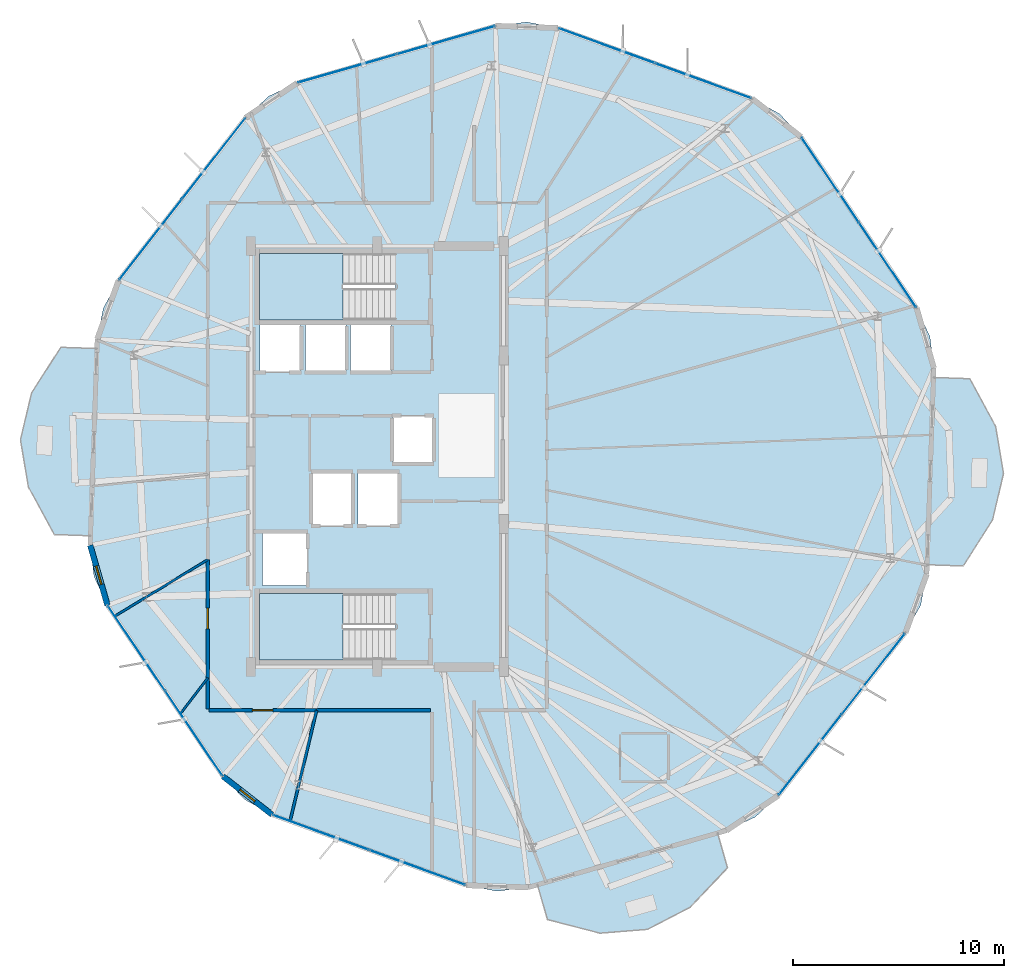
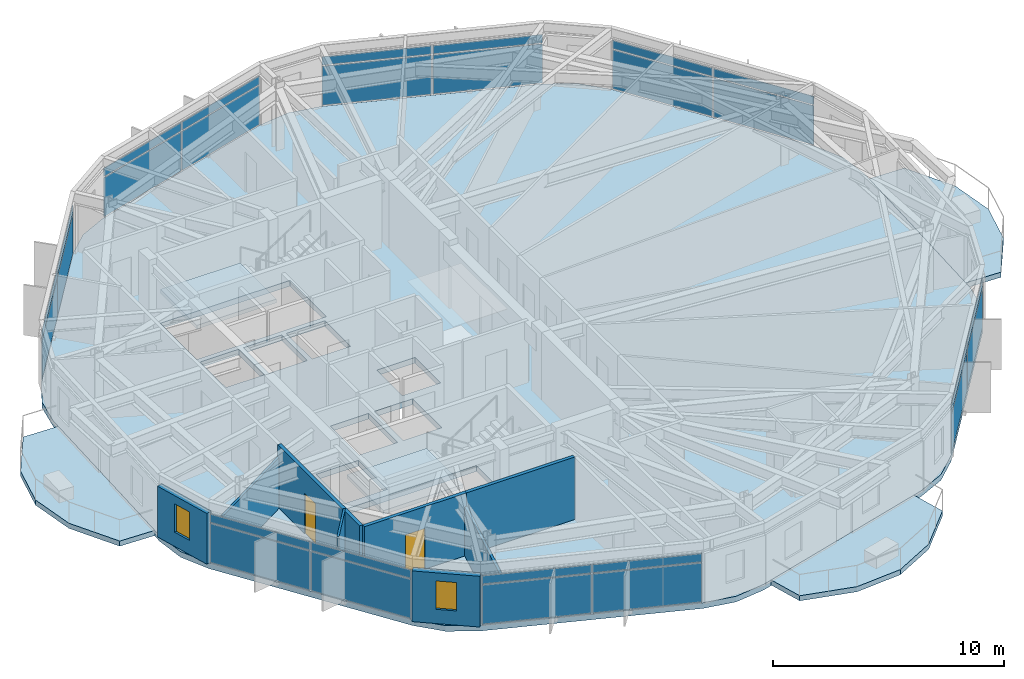
# One storey, part 23 of 30: 28 plates, 9 walls, 6 slabs, 2 doors, 2 windows, 4 openings, 9 elements without a shape of their own.
"""IFC4 building model written with IfcOpenShell, lengths in metres."""

from ifc_helpers import new_model, si_unit, direction, frame, frame_2d, origin, origin_2d, place, context, subcontext, project, spatial, polyline, rectangle, outline, extrude, material, layer, layer_set, type_object, element, fill, aggregate, save


model = new_model("IFC4")

# Units and contexts
model_context = context("Model", 3, precision=1e-05, world=origin(), true_north=direction((0.0, 1.0)))
body_context = subcontext(model_context, "Body", "Model", "MODEL_VIEW")
ifc_project = project(units=[si_unit("LENGTHUNIT", "METRE"), si_unit("AREAUNIT", "SQUARE_METRE"), si_unit("VOLUMEUNIT", "CUBIC_METRE"), si_unit("PLANEANGLEUNIT", "RADIAN"), si_unit("MASSUNIT", "GRAM", prefix="KILO")], contexts=[model_context])

# Site, building, storey
site_placement = place(None, origin())
site = spatial("IfcSite", under=ifc_project, at=site_placement, CompositionType="ELEMENT")
building_placement = place(site_placement, origin())
building = spatial("IfcBuilding", under=site, at=building_placement, Name="Soratama Intermodal Tower", CompositionType="ELEMENT")
storey_placement = place(building_placement, frame((0.0, 0.0, 223.0)))
storey = spatial("IfcBuildingStorey", under=building, at=storey_placement, Name="L56", CompositionType="ELEMENT", Elevation=223.0)

# Curtain wall, plates
ifc_material_1 = material(Name="Double-glazed aluminium curtain wall", Category="aluminium")
ifc_layer_1 = layer(ifc_material_1, 0.159912109375)
ifc_layer_set_1 = layer_set([ifc_layer_1], Name="Double-glazed aluminium curtain wall")
curtain_wall_type = type_object("IfcCurtainWallType", Name="CW-SYS-5", PredefinedType="NOTDEFINED", material=ifc_layer_set_1)
curtain_wall_1_placement = place(storey_placement, origin())
curtain_wall_1 = element("IfcCurtainWall", 1, at=curtain_wall_1_placement, inside=storey, type_object=curtain_wall_type, Name="L56 Faceted Curtain Wall F01", PredefinedType="NOTDEFINED")
ifc_material_2 = material(Name="Low-E laminated double glazing", Category="glass")
ifc_layer_2 = layer(ifc_material_2, 0.02001953125)
ifc_layer_set_2 = layer_set([ifc_layer_2], Name="Low-E laminated double glazing")
plate_type = type_object("IfcPlateType", Name="PT-CWP-5", PredefinedType="CURTAIN_PANEL", material=ifc_layer_set_2)
plate_1_placement = place(storey_placement, frame((54.079833984375, 42.848876953125, 0.06005859375), z_axis=(0.0, 0.0, 1.0), x_axis=(-0.939810706406, 0.34169553132, 0.0)))
plate_1 = element("IfcPlate", 2, at=plate_1_placement, type_object=plate_type, Name="CW-5 panel 1.1", PredefinedType="CURTAIN_PANEL", context=body_context, shape_type="SweptSolid", body=[
    extrude(rectangle(XDim=4.808837890625, YDim=0.028076171875, at=origin_2d()), origin(), (0.0, 0.0, 1.0), 2.06005859375),
])
plate_2_placement = place(storey_placement, frame((54.079833984375, 42.848876953125, 2.179931640625), z_axis=(0.0, 0.0, 1.0), x_axis=(-0.939810706406, 0.34169553132, 0.0)))
plate_2 = element("IfcPlate", 3, at=plate_2_placement, type_object=plate_type, Name="CW-5 panel 1.2", PredefinedType="CURTAIN_PANEL", context=body_context, shape_type="SweptSolid", body=[
    extrude(rectangle(XDim=4.808837890625, YDim=0.028076171875, at=origin_2d()), origin(), (0.0, 0.0, 1.0), 0.43896484375),
])
plate_3_placement = place(storey_placement, frame((49.50390625, 44.512451171875, 0.06005859375), z_axis=(0.0, 0.0, 1.0), x_axis=(-0.939810706406, 0.34169553132, 0.0)))
plate_3 = element("IfcPlate", 4, at=plate_3_placement, type_object=plate_type, Name="CW-5 panel 2.1", PredefinedType="CURTAIN_PANEL", context=body_context, shape_type="SweptSolid", body=[
    extrude(rectangle(XDim=4.808837890625, YDim=0.028076171875, at=origin_2d()), origin(), (0.0, 0.0, 1.0), 2.06005859375),
])
plate_4_placement = place(storey_placement, frame((49.50390625, 44.512451171875, 2.179931640625), z_axis=(0.0, 0.0, 1.0), x_axis=(-0.939810706406, 0.34169553132, 0.0)))
plate_4 = element("IfcPlate", 5, at=plate_4_placement, type_object=plate_type, Name="CW-5 panel 2.2", PredefinedType="CURTAIN_PANEL", context=body_context, shape_type="SweptSolid", body=[
    extrude(rectangle(XDim=4.808837890625, YDim=0.028076171875, at=origin_2d()), origin(), (0.0, 0.0, 1.0), 0.43896484375),
])
aggregate(curtain_wall_1, [plate_1, plate_2, plate_3, plate_4])

curtain_wall_2_placement = place(storey_placement, origin())
curtain_wall_2 = element("IfcCurtainWall", 6, at=curtain_wall_2_placement, inside=storey, type_object=curtain_wall_type, Name="L56 Faceted Curtain Wall F02", PredefinedType="NOTDEFINED")
plate_5_placement = place(storey_placement, frame((41.8544921875, 44.777099609375, 0.06005859375), z_axis=(0.0, 0.0, 1.0), x_axis=(-0.96116532733, -0.275973211633, 0.0)))
plate_5 = element("IfcPlate", 7, at=plate_5_placement, type_object=plate_type, Name="CW-5 panel 1.1", PredefinedType="CURTAIN_PANEL", context=body_context, shape_type="SweptSolid", body=[
    extrude(rectangle(XDim=4.808837890625, YDim=0.028076171875, at=origin_2d()), origin(), (0.0, 0.0, 1.0), 2.06005859375),
])
plate_6_placement = place(storey_placement, frame((41.8544921875, 44.777099609375, 2.179931640625), z_axis=(0.0, 0.0, 1.0), x_axis=(-0.96116532733, -0.275973211633, 0.0)))
plate_6 = element("IfcPlate", 8, at=plate_6_placement, type_object=plate_type, Name="CW-5 panel 1.2", PredefinedType="CURTAIN_PANEL", context=body_context, shape_type="SweptSolid", body=[
    extrude(rectangle(XDim=4.808837890625, YDim=0.028076171875, at=origin_2d()), origin(), (0.0, 0.0, 1.0), 0.43896484375),
])
plate_7_placement = place(storey_placement, frame((37.174560546875, 43.433349609375, 0.06005859375), z_axis=(0.0, 0.0, 1.0), x_axis=(-0.96116532733, -0.275973211633, 0.0)))
plate_7 = element("IfcPlate", 9, at=plate_7_placement, type_object=plate_type, Name="CW-5 panel 2.1", PredefinedType="CURTAIN_PANEL", context=body_context, shape_type="SweptSolid", body=[
    extrude(rectangle(XDim=4.808837890625, YDim=0.028076171875, at=origin_2d()), origin(), (0.0, 0.0, 1.0), 2.06005859375),
])
plate_8_placement = place(storey_placement, frame((37.174560546875, 43.433349609375, 2.179931640625), z_axis=(0.0, 0.0, 1.0), x_axis=(-0.96116532733, -0.275973211633, 0.0)))
plate_8 = element("IfcPlate", 10, at=plate_8_placement, type_object=plate_type, Name="CW-5 panel 2.2", PredefinedType="CURTAIN_PANEL", context=body_context, shape_type="SweptSolid", body=[
    extrude(rectangle(XDim=4.808837890625, YDim=0.028076171875, at=origin_2d()), origin(), (0.0, 0.0, 1.0), 0.43896484375),
])
aggregate(curtain_wall_2, [plate_5, plate_6, plate_7, plate_8])

curtain_wall_3_placement = place(storey_placement, origin())
curtain_wall_3 = element("IfcCurtainWall", 11, at=curtain_wall_3_placement, inside=storey, type_object=curtain_wall_type, Name="L56 Faceted Curtain Wall F03", PredefinedType="NOTDEFINED")
plate_9_placement = place(storey_placement, frame((30.83056640625, 39.15087890625, 0.06005859375), z_axis=(0.0, 0.0, 1.0), x_axis=(-0.615388111542, -0.788224252464, 0.0)))
plate_9 = element("IfcPlate", 12, at=plate_9_placement, type_object=plate_type, Name="CW-5 panel 1.1", PredefinedType="CURTAIN_PANEL", context=body_context, shape_type="SweptSolid", body=[
    extrude(rectangle(XDim=4.808837890625, YDim=0.028076171875, at=origin_2d()), origin(), (0.0, 0.0, 1.0), 2.06005859375),
])
plate_10_placement = place(storey_placement, frame((30.83056640625, 39.15087890625, 2.179931640625), z_axis=(0.0, 0.0, 1.0), x_axis=(-0.615388111542, -0.788224252464, 0.0)))
plate_10 = element("IfcPlate", 13, at=plate_10_placement, type_object=plate_type, Name="CW-5 panel 1.2", PredefinedType="CURTAIN_PANEL", context=body_context, shape_type="SweptSolid", body=[
    extrude(rectangle(XDim=4.808837890625, YDim=0.028076171875, at=origin_2d()), origin(), (0.0, 0.0, 1.0), 0.43896484375),
])
plate_11_placement = place(storey_placement, frame((27.834228515625, 35.313232421875, 0.06005859375), z_axis=(0.0, 0.0, 1.0), x_axis=(-0.615388111542, -0.788224252464, 0.0)))
plate_11 = element("IfcPlate", 14, at=plate_11_placement, type_object=plate_type, Name="CW-5 panel 2.1", PredefinedType="CURTAIN_PANEL", context=body_context, shape_type="SweptSolid", body=[
    extrude(rectangle(XDim=4.808837890625, YDim=0.028076171875, at=origin_2d()), origin(), (0.0, 0.0, 1.0), 2.06005859375),
])
plate_12_placement = place(storey_placement, frame((27.834228515625, 35.313232421875, 2.179931640625), z_axis=(0.0, 0.0, 1.0), x_axis=(-0.615388111542, -0.788224252464, 0.0)))
plate_12 = element("IfcPlate", 15, at=plate_12_placement, type_object=plate_type, Name="CW-5 panel 2.2", PredefinedType="CURTAIN_PANEL", context=body_context, shape_type="SweptSolid", body=[
    extrude(rectangle(XDim=4.808837890625, YDim=0.028076171875, at=origin_2d()), origin(), (0.0, 0.0, 1.0), 0.43896484375),
])
aggregate(curtain_wall_3, [plate_9, plate_10, plate_11, plate_12])

curtain_wall_4_placement = place(storey_placement, origin())
curtain_wall_4 = element("IfcCurtainWall", 16, at=curtain_wall_4_placement, inside=storey, type_object=curtain_wall_type, Name="L56 Faceted Curtain Wall F05", PredefinedType="NOTDEFINED")
plate_13_placement = place(storey_placement, frame((27.1630859375, 15.89697265625, 0.06005859375), z_axis=(0.0, 0.0, 1.0), x_axis=(0.559481795001, -0.828842639505, 0.0)))
plate_13 = element("IfcPlate", 17, at=plate_13_placement, type_object=plate_type, Name="CW-5 panel 1.1", PredefinedType="CURTAIN_PANEL", context=body_context, shape_type="SweptSolid", body=[
    extrude(rectangle(XDim=4.808837890625, YDim=0.028076171875, at=origin_2d()), origin(), (0.0, 0.0, 1.0), 2.06005859375),
])
plate_14_placement = place(storey_placement, frame((27.1630859375, 15.89697265625, 2.179931640625), z_axis=(0.0, 0.0, 1.0), x_axis=(0.559481795001, -0.828842639505, 0.0)))
plate_14 = element("IfcPlate", 18, at=plate_14_placement, type_object=plate_type, Name="CW-5 panel 1.2", PredefinedType="CURTAIN_PANEL", context=body_context, shape_type="SweptSolid", body=[
    extrude(rectangle(XDim=4.808837890625, YDim=0.028076171875, at=origin_2d()), origin(), (0.0, 0.0, 1.0), 0.43896484375),
])
plate_15_placement = place(storey_placement, frame((29.886962890625, 11.861328125, 0.06005859375), z_axis=(0.0, 0.0, 1.0), x_axis=(0.559481795001, -0.828842639505, 0.0)))
plate_15 = element("IfcPlate", 19, at=plate_15_placement, type_object=plate_type, Name="CW-5 panel 2.1", PredefinedType="CURTAIN_PANEL", context=body_context, shape_type="SweptSolid", body=[
    extrude(rectangle(XDim=4.808837890625, YDim=0.028076171875, at=origin_2d()), origin(), (0.0, 0.0, 1.0), 2.06005859375),
])
plate_16_placement = place(storey_placement, frame((29.886962890625, 11.861328125, 2.179931640625), z_axis=(0.0, 0.0, 1.0), x_axis=(0.559481795001, -0.828842639505, 0.0)))
plate_16 = element("IfcPlate", 20, at=plate_16_placement, type_object=plate_type, Name="CW-5 panel 2.2", PredefinedType="CURTAIN_PANEL", context=body_context, shape_type="SweptSolid", body=[
    extrude(rectangle(XDim=4.808837890625, YDim=0.028076171875, at=origin_2d()), origin(), (0.0, 0.0, 1.0), 0.43896484375),
])
aggregate(curtain_wall_4, [plate_13, plate_14, plate_15, plate_16])

curtain_wall_5_placement = place(storey_placement, origin())
curtain_wall_5 = element("IfcCurtainWall", 21, at=curtain_wall_5_placement, inside=storey, type_object=curtain_wall_type, Name="L56 Faceted Curtain Wall F06", PredefinedType="NOTDEFINED")
plate_17_placement = place(storey_placement, frame((35.920166015625, 7.151123046875, 0.06005859375), z_axis=(0.0, 0.0, 1.0), x_axis=(0.939810706406, -0.34169553132, 0.0)))
plate_17 = element("IfcPlate", 22, at=plate_17_placement, type_object=plate_type, Name="CW-5 panel 1.1", PredefinedType="CURTAIN_PANEL", context=body_context, shape_type="SweptSolid", body=[
    extrude(rectangle(XDim=4.808837890625, YDim=0.028076171875, at=origin_2d()), origin(), (0.0, 0.0, 1.0), 2.06005859375),
])
plate_18_placement = place(storey_placement, frame((35.920166015625, 7.151123046875, 2.179931640625), z_axis=(0.0, 0.0, 1.0), x_axis=(0.939810706406, -0.34169553132, 0.0)))
plate_18 = element("IfcPlate", 23, at=plate_18_placement, type_object=plate_type, Name="CW-5 panel 1.2", PredefinedType="CURTAIN_PANEL", context=body_context, shape_type="SweptSolid", body=[
    extrude(rectangle(XDim=4.808837890625, YDim=0.028076171875, at=origin_2d()), origin(), (0.0, 0.0, 1.0), 0.43896484375),
])
plate_19_placement = place(storey_placement, frame((40.49609375, 5.487548828125, 0.06005859375), z_axis=(0.0, 0.0, 1.0), x_axis=(0.939810706406, -0.34169553132, 0.0)))
plate_19 = element("IfcPlate", 24, at=plate_19_placement, type_object=plate_type, Name="CW-5 panel 2.1", PredefinedType="CURTAIN_PANEL", context=body_context, shape_type="SweptSolid", body=[
    extrude(rectangle(XDim=4.808837890625, YDim=0.028076171875, at=origin_2d()), origin(), (0.0, 0.0, 1.0), 2.06005859375),
])
plate_20_placement = place(storey_placement, frame((40.49609375, 5.487548828125, 2.179931640625), z_axis=(0.0, 0.0, 1.0), x_axis=(0.939810706406, -0.34169553132, 0.0)))
plate_20 = element("IfcPlate", 25, at=plate_20_placement, type_object=plate_type, Name="CW-5 panel 2.2", PredefinedType="CURTAIN_PANEL", context=body_context, shape_type="SweptSolid", body=[
    extrude(rectangle(XDim=4.808837890625, YDim=0.028076171875, at=origin_2d()), origin(), (0.0, 0.0, 1.0), 0.43896484375),
])
aggregate(curtain_wall_5, [plate_17, plate_18, plate_19, plate_20])

curtain_wall_6_placement = place(storey_placement, origin())
curtain_wall_6 = element("IfcCurtainWall", 26, at=curtain_wall_6_placement, inside=storey, type_object=curtain_wall_type, Name="L56 Faceted Curtain Wall F08", PredefinedType="NOTDEFINED")
plate_21_placement = place(storey_placement, frame((59.16943359375, 10.84912109375, 0.06005859375), z_axis=(0.0, 0.0, 1.0), x_axis=(0.615388111542, 0.788224252464, 0.0)))
plate_21 = element("IfcPlate", 27, at=plate_21_placement, type_object=plate_type, Name="CW-5 panel 1.1", PredefinedType="CURTAIN_PANEL", context=body_context, shape_type="SweptSolid", body=[
    extrude(rectangle(XDim=4.808837890625, YDim=0.028076171875, at=origin_2d()), origin(), (0.0, 0.0, 1.0), 2.06005859375),
])
plate_22_placement = place(storey_placement, frame((59.16943359375, 10.84912109375, 2.179931640625), z_axis=(0.0, 0.0, 1.0), x_axis=(0.615388111542, 0.788224252464, 0.0)))
plate_22 = element("IfcPlate", 28, at=plate_22_placement, type_object=plate_type, Name="CW-5 panel 1.2", PredefinedType="CURTAIN_PANEL", context=body_context, shape_type="SweptSolid", body=[
    extrude(rectangle(XDim=4.808837890625, YDim=0.028076171875, at=origin_2d()), origin(), (0.0, 0.0, 1.0), 0.43896484375),
])
plate_23_placement = place(storey_placement, frame((62.165771484375, 14.686767578125, 0.06005859375), z_axis=(0.0, 0.0, 1.0), x_axis=(0.615388111542, 0.788224252464, 0.0)))
plate_23 = element("IfcPlate", 29, at=plate_23_placement, type_object=plate_type, Name="CW-5 panel 2.1", PredefinedType="CURTAIN_PANEL", context=body_context, shape_type="SweptSolid", body=[
    extrude(rectangle(XDim=4.808837890625, YDim=0.028076171875, at=origin_2d()), origin(), (0.0, 0.0, 1.0), 2.06005859375),
])
plate_24_placement = place(storey_placement, frame((62.165771484375, 14.686767578125, 2.179931640625), z_axis=(0.0, 0.0, 1.0), x_axis=(0.615388111542, 0.788224252464, 0.0)))
plate_24 = element("IfcPlate", 30, at=plate_24_placement, type_object=plate_type, Name="CW-5 panel 2.2", PredefinedType="CURTAIN_PANEL", context=body_context, shape_type="SweptSolid", body=[
    extrude(rectangle(XDim=4.808837890625, YDim=0.028076171875, at=origin_2d()), origin(), (0.0, 0.0, 1.0), 0.43896484375),
])
aggregate(curtain_wall_6, [plate_21, plate_22, plate_23, plate_24])

curtain_wall_7_placement = place(storey_placement, origin())
curtain_wall_7 = element("IfcCurtainWall", 31, at=curtain_wall_7_placement, inside=storey, type_object=curtain_wall_type, Name="L56 Faceted Curtain Wall F10", PredefinedType="NOTDEFINED")
plate_25_placement = place(storey_placement, frame((62.8369140625, 34.10302734375, 0.06005859375), z_axis=(0.0, 0.0, 1.0), x_axis=(-0.559481795001, 0.828842639505, 0.0)))
plate_25 = element("IfcPlate", 32, at=plate_25_placement, type_object=plate_type, Name="CW-5 panel 1.1", PredefinedType="CURTAIN_PANEL", context=body_context, shape_type="SweptSolid", body=[
    extrude(rectangle(XDim=4.808837890625, YDim=0.028076171875, at=origin_2d()), origin(), (0.0, 0.0, 1.0), 2.06005859375),
])
plate_26_placement = place(storey_placement, frame((62.8369140625, 34.10302734375, 2.179931640625), z_axis=(0.0, 0.0, 1.0), x_axis=(-0.559481795001, 0.828842639505, 0.0)))
plate_26 = element("IfcPlate", 33, at=plate_26_placement, type_object=plate_type, Name="CW-5 panel 1.2", PredefinedType="CURTAIN_PANEL", context=body_context, shape_type="SweptSolid", body=[
    extrude(rectangle(XDim=4.808837890625, YDim=0.028076171875, at=origin_2d()), origin(), (0.0, 0.0, 1.0), 0.43896484375),
])
plate_27_placement = place(storey_placement, frame((60.113037109375, 38.138671875, 0.06005859375), z_axis=(0.0, 0.0, 1.0), x_axis=(-0.559481795001, 0.828842639505, 0.0)))
plate_27 = element("IfcPlate", 34, at=plate_27_placement, type_object=plate_type, Name="CW-5 panel 2.1", PredefinedType="CURTAIN_PANEL", context=body_context, shape_type="SweptSolid", body=[
    extrude(rectangle(XDim=4.808837890625, YDim=0.028076171875, at=origin_2d()), origin(), (0.0, 0.0, 1.0), 2.06005859375),
])
plate_28_placement = place(storey_placement, frame((60.113037109375, 38.138671875, 2.179931640625), z_axis=(0.0, 0.0, 1.0), x_axis=(-0.559481795001, 0.828842639505, 0.0)))
plate_28 = element("IfcPlate", 35, at=plate_28_placement, type_object=plate_type, Name="CW-5 panel 2.2", PredefinedType="CURTAIN_PANEL", context=body_context, shape_type="SweptSolid", body=[
    extrude(rectangle(XDim=4.808837890625, YDim=0.028076171875, at=origin_2d()), origin(), (0.0, 0.0, 1.0), 0.43896484375),
])
aggregate(curtain_wall_7, [plate_25, plate_26, plate_27, plate_28])

# Slabs
ifc_material_3 = material(Name="Concrete f'c 42 MPa", Category="concrete")
ifc_layer_3 = layer(ifc_material_3, 0.27001953125)
ifc_layer_set_3 = layer_set([ifc_layer_3], Name="Concrete f'c 42 MPa")
slab_type_1 = type_object("IfcSlabType", Name="SL-EXT-BAL1", PredefinedType="FLOOR", material=ifc_layer_set_3)
slab_1_placement = place(storey_placement, frame((0.0, 0.0, -0.27001953125)))
element("IfcSlab", 36, at=slab_1_placement, inside=storey, type_object=slab_type_1, Name="L56 Planted Balcony East 1", PredefinedType="FLOOR", context=body_context, shape_type="SweptSolid", body=[
    extrude(outline(polyline([(64.71142578125, 19.866943359375), (65.01904296875, 28.759521484375), (66.73779296875, 28.699951171875), (67.97119140625, 26.431640625), (68.34326171875, 24.193115234375), (67.8173828125, 21.9853515625), (66.430419921875, 19.8076171875), (64.71142578125, 19.866943359375)])), origin(), (0.0, 0.0, 1.0), 0.27001953125),
])
slab_2_placement = place(storey_placement, frame((0.0, 0.0, -0.27001953125)))
element("IfcSlab", 37, at=slab_2_placement, inside=storey, type_object=slab_type_1, Name="L56 Planted Balcony West 2", PredefinedType="FLOOR", context=body_context, shape_type="SweptSolid", body=[
    extrude(outline(polyline([(25.28857421875, 30.133056640625), (24.98095703125, 21.240478515625), (23.26220703125, 21.300048828125), (22.02880859375, 23.568359375), (21.65673828125, 25.806884765625), (22.1826171875, 28.0146484375), (23.569580078125, 30.1923828125), (25.28857421875, 30.133056640625)])), origin(), (0.0, 0.0, 1.0), 0.27001953125),
])
slab_3_placement = place(storey_placement, frame((0.0, 0.0, -0.27001953125)))
element("IfcSlab", 38, at=slab_3_placement, inside=storey, type_object=slab_type_1, Name="L56 Planted Balcony South 3", PredefinedType="FLOOR", context=body_context, shape_type="SweptSolid", body=[
    extrude(outline(polyline([(46.20947265625, 4.6669921875), (54.76171875, 7.12255859375), (55.236083984375, 5.469482421875), (53.4599609375, 3.595458984375), (51.44580078125, 2.550048828125), (49.183837890625, 2.367919921875), (46.68408203125, 3.013916015625), (46.20947265625, 4.6669921875)])), origin(), (0.0, 0.0, 1.0), 0.27001953125),
])

# Stair, slab
ifc_material_4 = material(Name="Concrete f'c 42 MPa", Category="concrete")
stair_type = type_object("IfcStairType", Name="ST-CORE-DOGLEG", PredefinedType="HALF_TURN_STAIR", material=ifc_material_4)
stair_1_placement = place(storey_placement, origin())
stair_1 = element("IfcStair", 39, at=stair_1_placement, inside=storey, type_object=stair_type, Name="L56 ST-1", PredefinedType="HALF_TURN_STAIR")
ifc_material_5 = material(Name="Concrete f'c 42 MPa", Category="concrete")
ifc_layer_4 = layer(ifc_material_5, 0.219970703125)
ifc_layer_set_4 = layer_set([ifc_layer_4], Name="Concrete f'c 42 MPa")
slab_type_2 = type_object("IfcSlabType", Name="SL-STAIR-LAND", PredefinedType="LANDING", material=ifc_layer_set_4)
slab_4_placement = place(storey_placement, frame((0.0, 0.0, 1.60009765625)))
slab_4 = element("IfcSlab", 40, at=slab_4_placement, type_object=slab_type_2, Name="ST-1 landing 1", PredefinedType="LANDING", context=body_context, shape_type="SweptSolid", body=[
    extrude(outline(polyline([(36.97998046875, 18.5), (33.0, 18.5), (33.0, 15.35009765625), (36.97998046875, 15.35009765625), (36.97998046875, 18.5)])), origin(), (0.0, 0.0, 1.0), 0.199951171875),
])
aggregate(stair_1, [slab_4])

stair_2_placement = place(storey_placement, origin())
stair_2 = element("IfcStair", 41, at=stair_2_placement, inside=storey, type_object=stair_type, Name="L56 ST-2", PredefinedType="HALF_TURN_STAIR")
slab_5_placement = place(storey_placement, frame((0.0, 0.0, 1.60009765625)))
slab_5 = element("IfcSlab", 42, at=slab_5_placement, type_object=slab_type_2, Name="ST-2 landing 1", PredefinedType="LANDING", context=body_context, shape_type="SweptSolid", body=[
    extrude(outline(polyline([(36.97998046875, 34.64990234375), (33.0, 34.64990234375), (33.0, 31.5), (36.97998046875, 31.5), (36.97998046875, 34.64990234375)])), origin(), (0.0, 0.0, 1.0), 0.199951171875),
])
aggregate(stair_2, [slab_5])

# Slab
ifc_material_6 = material(Name="Concrete f'c 42 MPa", Category="concrete")
ifc_layer_5 = layer(ifc_material_6, 0.280029296875)
ifc_layer_set_5 = layer_set([ifc_layer_5], Name="Concrete f'c 42 MPa")
slab_type_3 = type_object("IfcSlabType", Name="SL-TWR-280", PredefinedType="FLOOR", material=ifc_layer_set_5)
slab_6_placement = place(storey_placement, frame((0.0, 0.0, -0.300048828125)))
element("IfcSlab", 43, at=slab_6_placement, inside=storey, type_object=slab_type_3, Name="L56 Structural Floor Slab", PredefinedType="FLOOR", context=body_context, shape_type="SweptSolid", body=[
    extrude(outline(polyline([(58.734130859375, 40.18115234375), (57.709716796875, 41.279296875), (56.395751953125, 42.0068359375), (47.18798828125, 45.3544921875), (45.713623046875, 45.640625), (44.22314453125, 45.45703125), (34.805908203125, 42.753173828125), (33.445068359375, 42.1181640625), (32.34716796875, 41.093505859375), (26.317626953125, 33.37060546875), (25.590087890625, 32.056884765625), (25.303955078125, 30.582763671875), (24.965576171875, 20.791015625), (25.149169921875, 19.30029296875), (25.7841796875, 17.939453125), (31.265869140625, 9.81884765625), (32.290283203125, 8.720703125), (33.604248046875, 7.9931640625), (42.81201171875, 4.6455078125), (44.286376953125, 4.359375), (45.77685546875, 4.54296875), (55.194091796875, 7.246826171875), (56.554931640625, 7.8818359375), (57.65283203125, 8.906494140625), (63.682373046875, 16.62939453125), (64.409912109375, 17.943115234375), (64.696044921875, 19.417236328125), (65.034423828125, 29.208984375), (64.850830078125, 30.69970703125), (64.2158203125, 32.060546875), (58.734130859375, 40.18115234375)]), holes=[polyline([(33.0, 18.5), (33.0, 15.35009765625), (39.47509765625, 15.35009765625), (39.47509765625, 18.5), (33.0, 18.5)]), polyline([(35.260009765625, 21.409912109375), (33.139892578125, 21.409912109375), (33.139892578125, 18.889892578125), (35.260009765625, 18.889892578125), (35.260009765625, 21.409912109375)]), polyline([(37.409912109375, 24.260009765625), (35.489990234375, 24.260009765625), (35.489990234375, 21.739990234375), (37.409912109375, 21.739990234375), (37.409912109375, 24.260009765625)]), polyline([(39.610107421875, 24.260009765625), (37.68994140625, 24.260009765625), (37.68994140625, 21.739990234375), (39.610107421875, 21.739990234375), (39.610107421875, 24.260009765625)]), polyline([(41.260009765625, 26.909912109375), (39.340087890625, 26.909912109375), (39.340087890625, 24.68994140625), (41.260009765625, 24.68994140625), (41.260009765625, 26.909912109375)]), polyline([(34.9599609375, 31.260009765625), (33.0400390625, 31.260009765625), (33.0400390625, 29.0400390625), (34.9599609375, 29.0400390625), (34.9599609375, 31.260009765625)]), polyline([(37.110107421875, 31.260009765625), (35.18994140625, 31.260009765625), (35.18994140625, 29.0400390625), (37.110107421875, 29.0400390625), (37.110107421875, 31.260009765625)]), polyline([(39.260009765625, 29.0400390625), (39.260009765625, 31.260009765625), (37.340087890625, 31.260009765625), (37.340087890625, 29.0400390625), (39.260009765625, 29.0400390625)]), polyline([(39.47509765625, 34.64990234375), (33.0, 34.64990234375), (33.0, 31.5), (39.47509765625, 31.5), (39.47509765625, 34.64990234375)])]), origin(), (0.0, 0.0, 1.0), 0.300048828125),
])

# Wall, opening, window
ifc_material_7 = material(Name="Concrete f'c 42 MPa", Category="concrete")
ifc_layer_6 = layer(ifc_material_7, 0.27001953125)
ifc_layer_set_6 = layer_set([ifc_layer_6], Name="Concrete f'c 42 MPa")
wall_type_1 = type_object("IfcWallType", Name="EW-CRN-270", PredefinedType="SOLIDWALL", material=ifc_layer_set_6)
wall_1_placement = place(storey_placement, frame((24.965576171875, 20.791015625, 0.0), z_axis=(0.0, 0.0, 1.0), x_axis=(0.275927353379, -0.961178493131, 0.0)))
wall_1 = element("IfcWall", 44, at=wall_1_placement, inside=storey, type_object=wall_type_1, Name="L56 Corner Closure Wall 04", PredefinedType="SOLIDWALL", context=body_context, shape_type="SweptSolid", body=[
    extrude(rectangle(XDim=2.966796875, YDim=0.27001953125, at=frame_2d((1.4833984375, 0.0))), origin(), (0.0, 0.0, 1.0), 2.678955078125),
])
opening_1_placement = place(wall_1_placement, frame((1.033203125, 0.0, 0.75)))
opening_1 = element("IfcOpeningElement", 45, at=opening_1_placement, cuts=wall_1, Name="Opening WN-6", PredefinedType="OPENING", context=body_context, shape_type="SweptSolid", body=[
    extrude(rectangle(XDim=0.89990234375, YDim=1.5, at=frame_2d((0.449951171875, 0.75))), frame((0.0, 0.14501953125, 0.0), z_axis=(0.0, -1.0, 0.0), x_axis=(1.0, 0.0, 0.0)), (0.0, 0.0, 1.0), 0.2900390625),
])
ifc_material_8 = material(Name="Double-glazed aluminium window", Category="aluminium")
window_type = type_object("IfcWindowType", Name="WN-FAC-900", PartitioningType="SINGLE_PANEL", PredefinedType="WINDOW", material=ifc_material_8)
window_1_placement = place(opening_1_placement, origin())
window_1 = element("IfcWindow", 46, at=window_1_placement, inside=storey, type_object=window_type, Name="L56 Corner Window 04", OverallHeight=1.5, OverallWidth=0.89990234375, PartitioningType="SINGLE_PANEL", PredefinedType="WINDOW", context=body_context, shape_type="SweptSolid", body=[
    extrude(rectangle(XDim=0.89990234375, YDim=1.5, at=frame_2d((0.449951171875, 0.75))), frame((0.0, 0.030029296875, 0.0), z_axis=(0.0, -1.0, 0.0), x_axis=(1.0, 0.0, 0.0)), (0.0, 0.0, 1.0), 0.06005859375),
])
fill(opening_1, window_1)

wall_2_placement = place(storey_placement, frame((31.265869140625, 9.81884765625, 0.0), z_axis=(0.0, 0.0, 1.0), x_axis=(0.788216472233, -0.615398076776, 0.0)))
wall_2 = element("IfcWall", 47, at=wall_2_placement, inside=storey, type_object=wall_type_1, Name="L56 Corner Closure Wall 05", PredefinedType="SOLIDWALL", context=body_context, shape_type="SweptSolid", body=[
    extrude(rectangle(XDim=2.966552734375, YDim=0.27001953125, at=frame_2d((1.4833984375, 0.0))), origin(), (0.0, 0.0, 1.0), 2.678955078125),
])
opening_2_placement = place(wall_2_placement, frame((1.033203125, 0.0, 0.75)))
opening_2 = element("IfcOpeningElement", 48, at=opening_2_placement, cuts=wall_2, Name="Opening WN-6", PredefinedType="OPENING", context=body_context, shape_type="SweptSolid", body=[
    extrude(rectangle(XDim=0.89990234375, YDim=1.5, at=frame_2d((0.449951171875, 0.75))), frame((0.0, 0.14501953125, 0.0), z_axis=(0.0, -1.0, 0.0), x_axis=(1.0, 0.0, 0.0)), (0.0, 0.0, 1.0), 0.2900390625),
])
window_2_placement = place(opening_2_placement, origin())
window_2 = element("IfcWindow", 49, at=window_2_placement, inside=storey, type_object=window_type, Name="L56 Corner Window 05", OverallHeight=1.5, OverallWidth=0.89990234375, PartitioningType="SINGLE_PANEL", PredefinedType="WINDOW", context=body_context, shape_type="SweptSolid", body=[
    extrude(rectangle(XDim=0.89990234375, YDim=1.5, at=frame_2d((0.449951171875, 0.75))), frame((0.0, 0.030029296875, 0.0), z_axis=(0.0, -1.0, 0.0), x_axis=(1.0, 0.0, 0.0)), (0.0, 0.0, 1.0), 0.06005859375),
])
fill(opening_2, window_2)

# Wall, opening, door
ifc_material_9 = material(Name="Fire-rated gypsum stud partition", Category="concrete")
ifc_layer_7 = layer(ifc_material_9, 0.169921875)
ifc_layer_set_7 = layer_set([ifc_layer_7], Name="Fire-rated gypsum stud partition")
wall_type_2 = type_object("IfcWallType", Name="IW-PART-R170", PredefinedType="PARTITIONING", material=ifc_layer_set_7)
wall_3_placement = place(storey_placement, frame((30.550048828125, 14.485107421875, 0.0), z_axis=(0.0, 0.0, 1.0), x_axis=(0.0, 1.0, 0.0)))
wall_3 = element("IfcWall", 50, at=wall_3_placement, inside=storey, type_object=wall_type_2, Name="L56 Partition W-L56-TP015", PredefinedType="PARTITIONING", context=body_context, shape_type="SweptSolid", body=[
    extrude(rectangle(XDim=5.620849609375, YDim=0.169921875, at=frame_2d((2.810546875, 0.0))), origin(), (0.0, 0.0, 1.0), 3.300048828125),
])
opening_3_placement = place(wall_3_placement, frame((2.3359375, 0.0, 0.0)))
opening_3 = element("IfcOpeningElement", 51, at=opening_3_placement, cuts=wall_3, Name="Opening ID-5", PredefinedType="OPENING", context=body_context, shape_type="SweptSolid", body=[
    extrude(rectangle(XDim=0.97998046875, YDim=2.14990234375, at=frame_2d((0.489990234375, 1.074951171875))), frame((0.0, 0.094970703125, 0.0), z_axis=(0.0, -1.0, 0.0), x_axis=(1.0, 0.0, 0.0)), (0.0, 0.0, 1.0), 0.18994140625),
])
ifc_material_10 = material(Name="Solid hardwood acoustic door", Category="wood")
door_type = type_object("IfcDoorType", Name="DR-OFF-980", OperationType="NOTDEFINED", PredefinedType="DOOR", material=ifc_material_10)
door_1_placement = place(opening_3_placement, origin())
door_1 = element("IfcDoor", 52, at=door_1_placement, inside=storey, type_object=door_type, Name="L56 Door D-L56-TP004", OperationType="SINGLE_SWING_LEFT", OverallHeight=2.14990234375, OverallWidth=0.97998046875, PredefinedType="DOOR", context=body_context, shape_type="SweptSolid", body=[
    extrude(rectangle(XDim=0.97998046875, YDim=2.14990234375, at=frame_2d((0.489990234375, 1.074951171875))), frame((0.0, 0.02490234375, 0.0), z_axis=(0.0, -1.0, 0.0), x_axis=(1.0, 0.0, 0.0)), (0.0, 0.0, 1.0), 0.050048828125),
])
fill(opening_3, door_1)

# Wall
wall_4_placement = place(storey_placement, frame((41.1298828125, 12.949951171875, 0.0), z_axis=(0.0, 0.0, 1.0), x_axis=(-1.0, 0.0, 0.0)))
element("IfcWall", 53, at=wall_4_placement, inside=storey, type_object=wall_type_2, Name="L56 Partition W-L56-TP020", PredefinedType="PARTITIONING", context=body_context, shape_type="SweptSolid", body=[
    extrude(rectangle(XDim=5.410888671875, YDim=0.169921875, at=frame_2d((2.70556640625, 0.0))), origin(), (0.0, 0.0, 1.0), 3.300048828125),
])

# Wall, opening, door
wall_5_placement = place(storey_placement, frame((35.718994140625, 12.949951171875, 0.0), z_axis=(0.0, 0.0, 1.0), x_axis=(-1.0, 0.0, 0.0)))
wall_5 = element("IfcWall", 54, at=wall_5_placement, inside=storey, type_object=wall_type_2, Name="L56 Partition W-L56-TP022", PredefinedType="PARTITIONING", context=body_context, shape_type="SweptSolid", body=[
    extrude(rectangle(XDim=5.098876953125, YDim=0.169921875, at=frame_2d((2.54931640625, 0.0))), origin(), (0.0, 0.0, 1.0), 3.300048828125),
])
opening_4_placement = place(wall_5_placement, frame((2.074951171875, 0.0, 0.0)))
opening_4 = element("IfcOpeningElement", 55, at=opening_4_placement, cuts=wall_5, Name="Opening ID-5", PredefinedType="OPENING", context=body_context, shape_type="SweptSolid", body=[
    extrude(rectangle(XDim=0.97998046875, YDim=2.14990234375, at=frame_2d((0.489990234375, 1.074951171875))), frame((0.0, 0.094970703125, 0.0), z_axis=(0.0, -1.0, 0.0), x_axis=(1.0, 0.0, 0.0)), (0.0, 0.0, 1.0), 0.18994140625),
])
door_2_placement = place(opening_4_placement, origin())
door_2 = element("IfcDoor", 56, at=door_2_placement, inside=storey, type_object=door_type, Name="L56 Door D-L56-TP007", OperationType="SINGLE_SWING_RIGHT", OverallHeight=2.14990234375, OverallWidth=0.97998046875, PredefinedType="DOOR", context=body_context, shape_type="SweptSolid", body=[
    extrude(rectangle(XDim=0.97998046875, YDim=2.14990234375, at=frame_2d((0.489990234375, 1.074951171875))), frame((0.0, 0.02490234375, 0.0), z_axis=(0.0, -1.0, 0.0), x_axis=(1.0, 0.0, 0.0)), (0.0, 0.0, 1.0), 0.050048828125),
])
fill(opening_4, door_2)

# Walls
wall_6_placement = place(storey_placement, frame((30.550048828125, 13.02001953125, 0.0), z_axis=(0.0, 0.0, 1.0), x_axis=(0.0, 1.0, 0.0)))
element("IfcWall", 57, at=wall_6_placement, inside=storey, type_object=wall_type_2, Name="L56 Partition W-L56-TP052", PredefinedType="PARTITIONING", context=body_context, shape_type="SweptSolid", body=[
    extrude(rectangle(XDim=1.465087890625, YDim=0.169921875, at=frame_2d((0.732421875, 0.0))), origin(), (0.0, 0.0, 1.0), 3.300048828125),
])
ifc_material_11 = material(Name="Fire-rated gypsum stud partition", Category="concrete")
ifc_layer_8 = layer(ifc_material_11, 0.10009765625)
ifc_layer_set_8 = layer_set([ifc_layer_8], Name="Fire-rated gypsum stud partition")
wall_type_3 = type_object("IfcWallType", Name="IW-PART-S100", PredefinedType="PARTITIONING", material=ifc_layer_set_8)
wall_7_placement = place(storey_placement, frame((30.550048828125, 14.485107421875, 0.0), z_axis=(0.0, 0.0, 1.0), x_axis=(-0.607590625291, -0.794250358551, 0.0)))
element("IfcWall", 58, at=wall_7_placement, inside=storey, type_object=wall_type_3, Name="L56 Partition W-L56-TP047", PredefinedType="PARTITIONING", context=body_context, shape_type="SweptSolid", body=[
    extrude(rectangle(XDim=2.1279296875, YDim=0.10009765625, at=frame_2d((1.06396484375, 0.0))), origin(), (0.0, 0.0, 1.0), 3.300048828125),
])
ifc_material_12 = material(Name="Fire-rated gypsum stud partition", Category="concrete")
ifc_layer_9 = layer(ifc_material_12, 0.110107421875)
ifc_layer_set_9 = layer_set([ifc_layer_9], Name="Fire-rated gypsum stud partition")
wall_type_4 = type_object("IfcWallType", Name="IW-PART-S110", PredefinedType="PARTITIONING", material=ifc_layer_set_9)
wall_8_placement = place(storey_placement, frame((30.550048828125, 20.10595703125, 0.0), z_axis=(0.0, 0.0, 1.0), x_axis=(-0.854452043928, -0.519530273061, 0.0)))
element("IfcWall", 59, at=wall_8_placement, inside=storey, type_object=wall_type_4, Name="L56 Partition W-L56-TP021", PredefinedType="PARTITIONING", context=body_context, shape_type="SweptSolid", body=[
    extrude(rectangle(XDim=5.168212890625, YDim=0.110107421875, at=frame_2d((2.583984375, 0.0))), origin(), (0.0, 0.0, 1.0), 2.677978515625),
])
ifc_material_13 = material(Name="Fire-rated gypsum stud partition", Category="concrete")
ifc_layer_10 = layer(ifc_material_13, 0.1298828125)
ifc_layer_set_10 = layer_set([ifc_layer_10], Name="Fire-rated gypsum stud partition")
wall_type_5 = type_object("IfcWallType", Name="IW-PART-S130", PredefinedType="PARTITIONING", material=ifc_layer_set_10)
wall_9_placement = place(storey_placement, frame((35.718994140625, 12.949951171875, 0.0), z_axis=(0.0, 0.0, 1.0), x_axis=(-0.232617700886, -0.972568252224, 0.0)))
element("IfcWall", 60, at=wall_9_placement, inside=storey, type_object=wall_type_5, Name="L56 Partition W-L56-TP019", PredefinedType="PARTITIONING", context=body_context, shape_type="SweptSolid", body=[
    extrude(rectangle(XDim=5.416748046875, YDim=0.1298828125, at=frame_2d((2.70849609375, 0.0))), origin(), (0.0, 0.0, 1.0), 2.594970703125),
])

save(model, "model.ifc")
